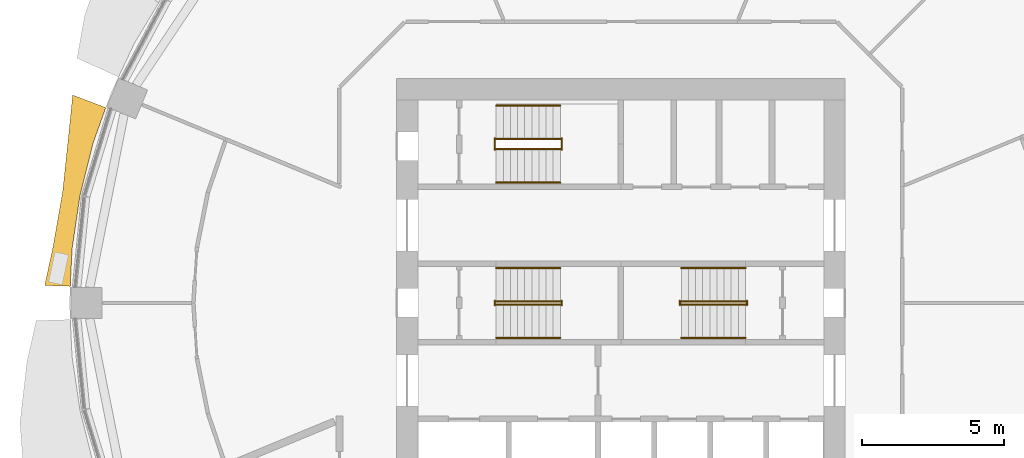
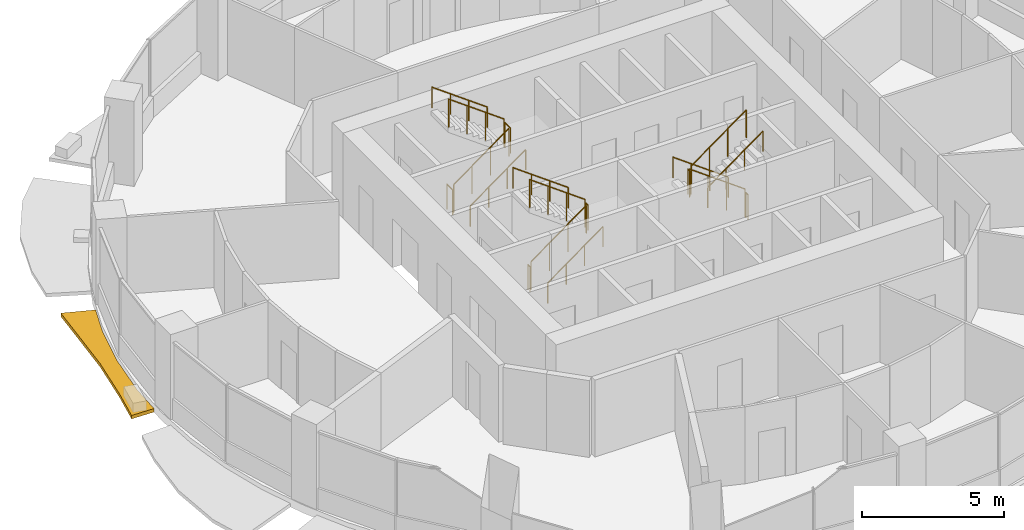
# One storey, part 12 of 14: 18 railings, 1 shading device.
"""IFC4 building model written with IfcOpenShell, lengths in metres."""

import ifcopenshell
import ifcopenshell.guid

model = None  # the IFC model being written
_history = None  # IfcOwnerHistory: only IFC2X3 demands one
_inside = {}  # id of a spatial element -> (the spatial element, [elements in it])
_under = {}  # id of a project, library or spatial element -> (it, [spatial elements below it])
_declared = {}  # id of a project -> (the project, [libraries it declares])
_typed = {}  # id of a type object -> (the type object, [elements of that type])
_made_of = {}  # id of a material, layer set ... -> (it, [elements and type objects made of it])


def new_model(schema):
    """Start an empty IFC model of exactly this schema.

    Asked for "IFC4X3", IfcOpenShell would pick the latest addendum, in which some entities
    have other attributes; the version numbers below select the first issue.
    IFC2X3 requires an IfcOwnerHistory on every rooted entity: one is made here for all.
    """
    global model, _history
    if schema == "IFC4X3":
        model = ifcopenshell.file(schema_version=(4, 3, 0, 0))
    else:
        model = ifcopenshell.file(schema=schema)
    _inside.clear()
    _under.clear()
    _declared.clear()
    _typed.clear()
    _made_of.clear()
    _history = None
    if model.schema == "IFC2X3":
        org = make("IfcOrganization", Name="unknown")
        user = make(
            "IfcPersonAndOrganization",
            ThePerson=make("IfcPerson", FamilyName="unknown"),
            TheOrganization=org,
        )
        app = make(
            "IfcApplication",
            ApplicationDeveloper=org,
            Version="unknown",
            ApplicationFullName="unknown",
            ApplicationIdentifier="unknown",
        )
        _history = make(
            "IfcOwnerHistory",
            OwningUser=user,
            OwningApplication=app,
            ChangeAction="ADDED",
            CreationDate=0,
        )
    return model


def make(cls, **values):
    """One entity of the class cls with the attributes given. An attribute that is None is left unset."""
    return model.create_entity(
        cls, **{name: value for name, value in values.items() if value is not None}
    )


def rooted(cls, **values):
    """An entity with a GlobalId (a new one), such as an element, a storey or a relation."""
    return make(cls, GlobalId=ifcopenshell.guid.new(), OwnerHistory=_history, **values)


def si_unit(unit_type, name, prefix=None):
    """IfcSIUnit, for example si_unit("LENGTHUNIT", "METRE", prefix="MILLI")."""
    return make("IfcSIUnit", UnitType=unit_type, Prefix=prefix, Name=name)


def assignment(units):
    """IfcUnitAssignment: the units of a project."""
    return None if units is None else make("IfcUnitAssignment", Units=units)


def point(xyz):
    """IfcCartesianPoint."""
    return None if xyz is None else make("IfcCartesianPoint", Coordinates=xyz)


def direction(xyz):
    """IfcDirection."""
    return None if xyz is None else make("IfcDirection", DirectionRatios=xyz)


def frame(location, z_axis=None, x_axis=None):
    """IfcAxis2Placement3D, a coordinate frame: its origin and axes. An axis left out is left unset."""
    return make(
        "IfcAxis2Placement3D",
        Location=point(location),
        Axis=direction(z_axis),
        RefDirection=direction(x_axis),
    )


def frame_2d(location, x_axis=None):
    """IfcAxis2Placement2D, a coordinate frame in the plane: its origin and x axis."""
    return make(
        "IfcAxis2Placement2D", Location=point(location), RefDirection=direction(x_axis)
    )


def origin():
    """The frame at (0, 0, 0) with its axes left unset."""
    return frame((0.0, 0.0, 0.0))


def origin_2d():
    """The frame at (0, 0) in the plane with its x axis left unset."""
    return frame_2d((0.0, 0.0))


def place(relative_to, where):
    """IfcLocalPlacement: puts the frame where relative to a parent placement (None: the world)."""
    return make(
        "IfcLocalPlacement", PlacementRelTo=relative_to, RelativePlacement=where
    )


def context(
    kind, dimensions, precision=None, world=None, true_north=None, identifier=None
):
    """IfcGeometricRepresentationContext, for example the 3D "Model" context."""
    return make(
        "IfcGeometricRepresentationContext",
        ContextIdentifier=identifier,
        ContextType=kind,
        CoordinateSpaceDimension=dimensions,
        Precision=precision,
        WorldCoordinateSystem=world,
        TrueNorth=true_north,
    )


def subcontext(parent, identifier, kind, view, scale=None):
    """IfcGeometricRepresentationSubContext, for example "Body" below "Model"."""
    return make(
        "IfcGeometricRepresentationSubContext",
        ContextIdentifier=identifier,
        ContextType=kind,
        ParentContext=parent,
        TargetScale=scale,
        TargetView=view,
    )


def project(units=None, contexts=None):
    """IfcProject with its units and contexts."""
    return rooted(
        "IfcProject",
        Name="project",
        RepresentationContexts=contexts,
        UnitsInContext=assignment(units),
    )


def spatial(cls, under=None, at=None, **own):
    """A site, building, storey or space (cls), placed at a placement, below another one or the project."""
    s = rooted(cls, ObjectPlacement=at, **own)
    if under is not None:
        _under.setdefault(under.id(), (under, []))[1].append(s)
    return s


def polyline(points):
    """IfcPolyline through the points."""
    return make("IfcPolyline", Points=[point(p) for p in points])


def profile(cls, at=None, kind="AREA", **sizes):
    """A parametric profile (cls). Its sizes go by their IFC names, for example OverallWidth=200.0."""
    return make(cls, ProfileType=kind, Position=at, **sizes)


def circle(**sizes):
    """IfcCircleProfileDef."""
    return profile("IfcCircleProfileDef", **sizes)


def outline(outer, holes=None, kind="AREA"):
    """IfcArbitraryClosedProfileDef: a profile drawn as a closed curve; with holes, ...WithVoids."""
    if holes is None:
        return make("IfcArbitraryClosedProfileDef", ProfileType=kind, OuterCurve=outer)
    return make(
        "IfcArbitraryProfileDefWithVoids",
        ProfileType=kind,
        OuterCurve=outer,
        InnerCurves=holes,
    )


def extrude(swept, where, along, depth):
    """IfcExtrudedAreaSolid: the profile swept, set in the frame where, extruded along a direction by depth."""
    return make(
        "IfcExtrudedAreaSolid",
        SweptArea=swept,
        Position=where,
        ExtrudedDirection=direction(along),
        Depth=depth,
    )


def shape(context_of_items, identifier, shape_type, items):
    """IfcShapeRepresentation: the items that make up one representation, for example the "Body"."""
    return make(
        "IfcShapeRepresentation",
        ContextOfItems=context_of_items,
        RepresentationIdentifier=identifier,
        RepresentationType=shape_type,
        Items=items,
    )


def material(Name=None, Category=None):
    """IfcMaterial."""
    return make("IfcMaterial", Name=Name, Category=Category)


def made_of(thing, what):
    """Note that an element or type object is made of a material, layer set ...; save() writes the relation."""
    if what is not None:
        _made_of.setdefault(what.id(), (what, []))[1].append(thing)
    return thing


def type_object(cls, material=None, **own):
    """A type object (cls), such as IfcWallType, which elements share."""
    return made_of(rooted(cls, **own), material)


def element(
    cls,
    number,
    at=None,
    inside=None,
    cuts=None,
    type_object=None,
    material=None,
    context=None,
    identifier="Body",
    shape_type=None,
    held_by="IfcProductDefinitionShape",
    body=None,
    shapes=None,
    **own,
):
    """One element of the class cls, such as IfcWall. Its Tag is "e" and its number.

    at: its placement. inside: the storey or other place that contains it. cuts: it is an
    opening in that element (IfcRelVoidsElement). A single representation is given by context,
    identifier, shape_type and body (its items); several are given by shapes. held_by: the class
    of the entity that holds the representations. save() writes the other relations.
    """
    e = rooted(cls, Tag="e%d" % number, ObjectPlacement=at, **own)
    if body is not None:
        shapes = [shape(context, identifier, shape_type, body)]
    if shapes is not None:
        e.Representation = make(held_by, Representations=shapes)
    if inside is not None:
        _inside.setdefault(inside.id(), (inside, []))[1].append(e)
    if cuts is not None:
        rooted(
            "IfcRelVoidsElement", RelatingBuildingElement=cuts, RelatedOpeningElement=e
        )
    if type_object is not None:
        _typed.setdefault(type_object.id(), (type_object, []))[1].append(e)
    return made_of(e, material)


def aggregate(whole, parts):
    """IfcRelAggregates: a whole, such as a stair, and the parts it consists of."""
    return rooted("IfcRelAggregates", RelatingObject=whole, RelatedObjects=parts)


def save(model, path):
    """Write the relations noted so far, then the file.

    IfcRelAggregates (storeys below a building ...), IfcRelContainedInSpatialStructure (elements
    in a storey), IfcRelDefinesByType, IfcRelAssociatesMaterial and IfcRelDeclares: one each for
    every whole, place, type object, material and project.
    """
    for whole, parts in _under.values():
        aggregate(whole, parts)
    for where, things in _inside.values():
        rooted(
            "IfcRelContainedInSpatialStructure",
            RelatedElements=things,
            RelatingStructure=where,
        )
    for kind, things in _typed.values():
        rooted("IfcRelDefinesByType", RelatedObjects=things, RelatingType=kind)
    for what, things in _made_of.values():
        rooted("IfcRelAssociatesMaterial", RelatedObjects=things, RelatingMaterial=what)
    for by, libraries in _declared.values():
        rooted("IfcRelDeclares", RelatingContext=by, RelatedDefinitions=libraries)
    model.write(path)


model = new_model("IFC4")

# Units and contexts
model_context = context("Model", 3, precision=1e-05, world=origin(), true_north=direction((0.0, 1.0)))
body_context = subcontext(model_context, "Body", "Model", "MODEL_VIEW")
ifc_project = project(units=[si_unit("LENGTHUNIT", "METRE"), si_unit("AREAUNIT", "SQUARE_METRE"), si_unit("VOLUMEUNIT", "CUBIC_METRE"), si_unit("PLANEANGLEUNIT", "RADIAN"), si_unit("MASSUNIT", "GRAM", prefix="KILO")], contexts=[model_context])

# Site, building, storey
site_placement = place(None, origin())
site = spatial("IfcSite", under=ifc_project, at=site_placement, CompositionType="ELEMENT")
building_placement = place(site_placement, origin())
building = spatial("IfcBuilding", under=site, at=building_placement, Name="Polderwave Tower", CompositionType="ELEMENT")
storey_placement = place(building_placement, frame((0.0, 0.0, 91.0)))
storey = spatial("IfcBuildingStorey", under=building, at=storey_placement, Name="L23", CompositionType="ELEMENT", Elevation=91.0)

# Railings
ifc_material_1 = material(Name="Stainless steel", Category="steel")
railing_type_1 = type_object("IfcRailingType", Name="Stair guard 1100", PredefinedType="GUARDRAIL", material=ifc_material_1)
railing_1_placement = place(storey_placement, frame((-4.3740234375, -0.051025390625, 0.0625)))
element("IfcRailing", 1, at=railing_1_placement, inside=storey, type_object=railing_type_1, Name="L23 ST-A stair guard 1", PredefinedType="GUARDRAIL", context=body_context, shape_type="SweptSolid", body=[
    extrude(circle(Radius=0.02392578125, at=origin_2d()), frame((0.0, 0.0, 1.1962890625), z_axis=(0.807715371301, 0.0, 0.589572623995), x_axis=(0.0, 1.0, 0.0)), (0.0, 0.0, 1.0), 2.78564453125),
    extrude(circle(Radius=0.02392578125, at=origin_2d()), origin(), (0.0, 0.0, 1.0), 1.172119140625),
    extrude(circle(Radius=0.02392578125, at=origin_2d()), frame((0.75, 0.0, 0.54736328125)), (0.0, 0.0, 1.0), 1.172119140625),
    extrude(circle(Radius=0.02392578125, at=origin_2d()), frame((1.5, 0.0, 1.094970703125)), (0.0, 0.0, 1.0), 1.172119140625),
    extrude(circle(Radius=0.02392578125, at=origin_2d()), frame((2.25, 0.0, 1.642333984375)), (0.0, 0.0, 1.0), 1.172119140625),
])
railing_2_placement = place(storey_placement, frame((-2.073974609375, -0.074951171875, 1.824951171875)))
element("IfcRailing", 2, at=railing_2_placement, inside=storey, type_object=railing_type_1, Name="L23 ST-A stair guard 2", PredefinedType="GUARDRAIL", context=body_context, shape_type="SweptSolid", body=[
    extrude(circle(Radius=0.02392578125, at=origin_2d()), frame((0.0, 0.0, 1.076171875), z_axis=(0.0, 1.0, 0.0), x_axis=(-1.0, 0.0, 0.0)), (0.0, 0.0, 1.0), 0.14990234375),
    extrude(circle(Radius=0.02099609375, at=origin_2d()), origin(), (0.0, 0.0, 1.0), 1.052001953125),
    extrude(circle(Radius=0.02099609375, at=origin_2d()), frame((0.0, 0.14990234375, 0.0)), (0.0, 0.0, 1.0), 1.052001953125),
])
railing_3_placement = place(storey_placement, frame((-2.1240234375, 0.051025390625, 1.887451171875)))
element("IfcRailing", 3, at=railing_3_placement, inside=storey, type_object=railing_type_1, Name="L23 ST-A stair guard 3", PredefinedType="GUARDRAIL", context=body_context, shape_type="SweptSolid", body=[
    extrude(circle(Radius=0.02392578125, at=origin_2d()), frame((0.0, 0.0, 1.1962890625), z_axis=(-0.807715371301, 0.0, 0.589572623995), x_axis=(0.0, -1.0, 0.0)), (0.0, 0.0, 1.0), 2.78564453125),
    extrude(circle(Radius=0.02392578125, at=origin_2d()), origin(), (0.0, 0.0, 1.0), 1.172119140625),
    extrude(circle(Radius=0.02392578125, at=origin_2d()), frame((-0.75, 0.0, 0.54736328125)), (0.0, 0.0, 1.0), 1.172119140625),
    extrude(circle(Radius=0.02392578125, at=origin_2d()), frame((-1.5, 0.0, 1.094970703125)), (0.0, 0.0, 1.0), 1.172119140625),
    extrude(circle(Radius=0.02392578125, at=origin_2d()), frame((-2.25, 0.0, 1.642333984375)), (0.0, 0.0, 1.0), 1.172119140625),
])
railing_4_placement = place(storey_placement, frame((-4.424072265625, -0.074951171875, 0.0)))
element("IfcRailing", 4, at=railing_4_placement, inside=storey, type_object=railing_type_1, Name="L23 ST-A stair guard 4", PredefinedType="GUARDRAIL", context=body_context, shape_type="SweptSolid", body=[
    extrude(circle(Radius=0.02392578125, at=origin_2d()), frame((0.0, 0.0, 1.076171875), z_axis=(0.0, 1.0, 0.0), x_axis=(-1.0, 0.0, 0.0)), (0.0, 0.0, 1.0), 0.14990234375),
    extrude(circle(Radius=0.02099609375, at=origin_2d()), origin(), (0.0, 0.0, 1.0), 1.052001953125),
    extrude(circle(Radius=0.02099609375, at=origin_2d()), frame((0.0, 0.14990234375, 0.0)), (0.0, 0.0, 1.0), 1.052001953125),
])
railing_5_placement = place(storey_placement, frame((4.3740234375, 0.051025390625, 0.0625)))
element("IfcRailing", 5, at=railing_5_placement, inside=storey, type_object=railing_type_1, Name="L23 ST-B stair guard 1", PredefinedType="GUARDRAIL", context=body_context, shape_type="SweptSolid", body=[
    extrude(circle(Radius=0.02392578125, at=origin_2d()), frame((0.0, 0.0, 1.1962890625), z_axis=(-0.807715371301, 0.0, 0.589572623995), x_axis=(0.0, -1.0, 0.0)), (0.0, 0.0, 1.0), 2.78564453125),
    extrude(circle(Radius=0.02392578125, at=origin_2d()), origin(), (0.0, 0.0, 1.0), 1.172119140625),
    extrude(circle(Radius=0.02392578125, at=origin_2d()), frame((-0.75, 0.0, 0.54736328125)), (0.0, 0.0, 1.0), 1.172119140625),
    extrude(circle(Radius=0.02392578125, at=origin_2d()), frame((-1.5, 0.0, 1.094970703125)), (0.0, 0.0, 1.0), 1.172119140625),
    extrude(circle(Radius=0.02392578125, at=origin_2d()), frame((-2.25, 0.0, 1.642333984375)), (0.0, 0.0, 1.0), 1.172119140625),
])
railing_6_placement = place(storey_placement, frame((2.073974609375, 0.074951171875, 1.824951171875)))
element("IfcRailing", 6, at=railing_6_placement, inside=storey, type_object=railing_type_1, Name="L23 ST-B stair guard 2", PredefinedType="GUARDRAIL", context=body_context, shape_type="SweptSolid", body=[
    extrude(circle(Radius=0.02392578125, at=origin_2d()), frame((0.0, 0.0, 1.076171875), z_axis=(0.0, -1.0, 0.0), x_axis=(1.0, 0.0, 0.0)), (0.0, 0.0, 1.0), 0.14990234375),
    extrude(circle(Radius=0.02099609375, at=origin_2d()), origin(), (0.0, 0.0, 1.0), 1.052001953125),
    extrude(circle(Radius=0.02099609375, at=origin_2d()), frame((0.0, -0.14990234375, 0.0)), (0.0, 0.0, 1.0), 1.052001953125),
])
railing_7_placement = place(storey_placement, frame((2.1240234375, -0.051025390625, 1.887451171875)))
element("IfcRailing", 7, at=railing_7_placement, inside=storey, type_object=railing_type_1, Name="L23 ST-B stair guard 3", PredefinedType="GUARDRAIL", context=body_context, shape_type="SweptSolid", body=[
    extrude(circle(Radius=0.02392578125, at=origin_2d()), frame((0.0, 0.0, 1.1962890625), z_axis=(0.807715371301, 0.0, 0.589572623995), x_axis=(0.0, 1.0, 0.0)), (0.0, 0.0, 1.0), 2.78564453125),
    extrude(circle(Radius=0.02392578125, at=origin_2d()), origin(), (0.0, 0.0, 1.0), 1.172119140625),
    extrude(circle(Radius=0.02392578125, at=origin_2d()), frame((0.75, 0.0, 0.54736328125)), (0.0, 0.0, 1.0), 1.172119140625),
    extrude(circle(Radius=0.02392578125, at=origin_2d()), frame((1.5, 0.0, 1.094970703125)), (0.0, 0.0, 1.0), 1.172119140625),
    extrude(circle(Radius=0.02392578125, at=origin_2d()), frame((2.25, 0.0, 1.642333984375)), (0.0, 0.0, 1.0), 1.172119140625),
])
railing_8_placement = place(storey_placement, frame((4.424072265625, 0.074951171875, 0.0)))
element("IfcRailing", 8, at=railing_8_placement, inside=storey, type_object=railing_type_1, Name="L23 ST-B stair guard 4", PredefinedType="GUARDRAIL", context=body_context, shape_type="SweptSolid", body=[
    extrude(circle(Radius=0.02392578125, at=origin_2d()), frame((0.0, 0.0, 1.076171875), z_axis=(0.0, -1.0, 0.0), x_axis=(1.0, 0.0, 0.0)), (0.0, 0.0, 1.0), 0.14990234375),
    extrude(circle(Radius=0.02099609375, at=origin_2d()), origin(), (0.0, 0.0, 1.0), 1.052001953125),
    extrude(circle(Radius=0.02099609375, at=origin_2d()), frame((0.0, -0.14990234375, 0.0)), (0.0, 0.0, 1.0), 1.052001953125),
])
railing_9_placement = place(storey_placement, frame((-4.3740234375, 5.39794921875, 0.0625)))
element("IfcRailing", 9, at=railing_9_placement, inside=storey, type_object=railing_type_1, Name="L23 ST-C stair guard 1", PredefinedType="GUARDRAIL", context=body_context, shape_type="SweptSolid", body=[
    extrude(circle(Radius=0.02392578125, at=origin_2d()), frame((0.0, 0.0, 1.1962890625), z_axis=(0.807715371301, 0.0, 0.589572623995), x_axis=(0.0, 1.0, 0.0)), (0.0, 0.0, 1.0), 2.78564453125),
    extrude(circle(Radius=0.02392578125, at=origin_2d()), origin(), (0.0, 0.0, 1.0), 1.172119140625),
    extrude(circle(Radius=0.02392578125, at=origin_2d()), frame((0.75, 0.0, 0.54736328125)), (0.0, 0.0, 1.0), 1.172119140625),
    extrude(circle(Radius=0.02392578125, at=origin_2d()), frame((1.5, 0.0, 1.094970703125)), (0.0, 0.0, 1.0), 1.172119140625),
    extrude(circle(Radius=0.02392578125, at=origin_2d()), frame((2.25, 0.0, 1.642333984375)), (0.0, 0.0, 1.0), 1.172119140625),
])
railing_10_placement = place(storey_placement, frame((-2.073974609375, 5.3740234375, 1.824951171875)))
element("IfcRailing", 10, at=railing_10_placement, inside=storey, type_object=railing_type_1, Name="L23 ST-C stair guard 2", PredefinedType="GUARDRAIL", context=body_context, shape_type="SweptSolid", body=[
    extrude(circle(Radius=0.02392578125, at=origin_2d()), frame((0.0, 0.0, 1.076171875), z_axis=(0.0, 1.0, 0.0), x_axis=(-1.0, 0.0, 0.0)), (0.0, 0.0, 1.0), 0.39990234375),
    extrude(circle(Radius=0.02099609375, at=origin_2d()), origin(), (0.0, 0.0, 1.0), 1.052001953125),
    extrude(circle(Radius=0.02099609375, at=origin_2d()), frame((0.0, 0.39990234375, 0.0)), (0.0, 0.0, 1.0), 1.052001953125),
])
railing_11_placement = place(storey_placement, frame((-2.1240234375, 5.75, 1.887451171875)))
element("IfcRailing", 11, at=railing_11_placement, inside=storey, type_object=railing_type_1, Name="L23 ST-C stair guard 3", PredefinedType="GUARDRAIL", context=body_context, shape_type="SweptSolid", body=[
    extrude(circle(Radius=0.02392578125, at=origin_2d()), frame((0.0, 0.0, 1.1962890625), z_axis=(-0.807715371301, 0.0, 0.589572623995), x_axis=(0.0, -1.0, 0.0)), (0.0, 0.0, 1.0), 2.78564453125),
    extrude(circle(Radius=0.02392578125, at=origin_2d()), origin(), (0.0, 0.0, 1.0), 1.172119140625),
    extrude(circle(Radius=0.02392578125, at=origin_2d()), frame((-0.75, 0.0, 0.54736328125)), (0.0, 0.0, 1.0), 1.172119140625),
    extrude(circle(Radius=0.02392578125, at=origin_2d()), frame((-1.5, 0.0, 1.094970703125)), (0.0, 0.0, 1.0), 1.172119140625),
    extrude(circle(Radius=0.02392578125, at=origin_2d()), frame((-2.25, 0.0, 1.642333984375)), (0.0, 0.0, 1.0), 1.172119140625),
])
railing_12_placement = place(storey_placement, frame((-4.424072265625, 5.3740234375, 0.0)))
element("IfcRailing", 12, at=railing_12_placement, inside=storey, type_object=railing_type_1, Name="L23 ST-C stair guard 4", PredefinedType="GUARDRAIL", context=body_context, shape_type="SweptSolid", body=[
    extrude(circle(Radius=0.02392578125, at=origin_2d()), frame((0.0, 0.0, 1.076171875), z_axis=(0.0, 1.0, 0.0), x_axis=(-1.0, 0.0, 0.0)), (0.0, 0.0, 1.0), 0.39990234375),
    extrude(circle(Radius=0.02099609375, at=origin_2d()), origin(), (0.0, 0.0, 1.0), 1.052001953125),
    extrude(circle(Radius=0.02099609375, at=origin_2d()), frame((0.0, 0.39990234375, 0.0)), (0.0, 0.0, 1.0), 1.052001953125),
])
railing_type_2 = type_object("IfcRailingType", Name="Stair handrail 900", PredefinedType="HANDRAIL", material=ifc_material_1)
railing_13_placement = place(storey_placement, frame((-4.3740234375, -1.22509765625, 0.1826171875)))
element("IfcRailing", 13, at=railing_13_placement, inside=storey, type_object=railing_type_2, Name="L23 ST-A stair handrail 1", PredefinedType="HANDRAIL", context=body_context, shape_type="SweptSolid", body=[
    extrude(circle(Radius=0.02392578125, at=origin_2d()), frame((0.0, 0.0, 0.8759765625), z_axis=(0.807715371301, 0.0, 0.589572623995), x_axis=(0.0, 1.0, 0.0)), (0.0, 0.0, 1.0), 2.78564453125),
    extrude(circle(Radius=0.02099609375, at=origin_2d()), origin(), (0.0, 0.0, 1.0), 0.851806640625),
    extrude(circle(Radius=0.02099609375, at=origin_2d()), frame((0.75, 0.0, 0.54736328125)), (0.0, 0.0, 1.0), 0.851806640625),
    extrude(circle(Radius=0.02099609375, at=origin_2d()), frame((1.5, 0.0, 1.094970703125)), (0.0, 0.0, 1.0), 0.851806640625),
    extrude(circle(Radius=0.02099609375, at=origin_2d()), frame((2.25, 0.0, 1.642333984375)), (0.0, 0.0, 1.0), 0.851806640625),
])
for number, where, name in (
    (14, (-2.1240234375, 1.22509765625, 2.007568359375), "L23 ST-A stair handrail 2"),
    (15, (4.3740234375, 1.22509765625, 0.1826171875), "L23 ST-B stair handrail 1"),
):
    element("IfcRailing", number, at=place(storey_placement, frame(where)), inside=storey, type_object=railing_type_2, Name=name, PredefinedType="HANDRAIL", context=body_context, shape_type="SweptSolid", body=[
        extrude(circle(Radius=0.02392578125, at=origin_2d()), frame((0.0, 0.0, 0.8759765625), z_axis=(-0.807715371301, 0.0, 0.589572623995), x_axis=(0.0, -1.0, 0.0)), (0.0, 0.0, 1.0), 2.78564453125),
        extrude(circle(Radius=0.02099609375, at=origin_2d()), origin(), (0.0, 0.0, 1.0), 0.851806640625),
        extrude(circle(Radius=0.02099609375, at=origin_2d()), frame((-0.75, 0.0, 0.54736328125)), (0.0, 0.0, 1.0), 0.851806640625),
        extrude(circle(Radius=0.02099609375, at=origin_2d()), frame((-1.5, 0.0, 1.094970703125)), (0.0, 0.0, 1.0), 0.851806640625),
        extrude(circle(Radius=0.02099609375, at=origin_2d()), frame((-2.25, 0.0, 1.642333984375)), (0.0, 0.0, 1.0), 0.851806640625),
    ])
for number, where, name in (
    (16, (2.1240234375, -1.22509765625, 2.007568359375), "L23 ST-B stair handrail 2"),
    (17, (-4.3740234375, 4.22412109375, 0.1826171875), "L23 ST-C stair handrail 1"),
):
    element("IfcRailing", number, at=place(storey_placement, frame(where)), inside=storey, type_object=railing_type_2, Name=name, PredefinedType="HANDRAIL", context=body_context, shape_type="SweptSolid", body=[
        extrude(circle(Radius=0.02392578125, at=origin_2d()), frame((0.0, 0.0, 0.8759765625), z_axis=(0.807715371301, 0.0, 0.589572623995), x_axis=(0.0, 1.0, 0.0)), (0.0, 0.0, 1.0), 2.78564453125),
        extrude(circle(Radius=0.02099609375, at=origin_2d()), origin(), (0.0, 0.0, 1.0), 0.851806640625),
        extrude(circle(Radius=0.02099609375, at=origin_2d()), frame((0.75, 0.0, 0.54736328125)), (0.0, 0.0, 1.0), 0.851806640625),
        extrude(circle(Radius=0.02099609375, at=origin_2d()), frame((1.5, 0.0, 1.094970703125)), (0.0, 0.0, 1.0), 0.851806640625),
        extrude(circle(Radius=0.02099609375, at=origin_2d()), frame((2.25, 0.0, 1.642333984375)), (0.0, 0.0, 1.0), 0.851806640625),
    ])
railing_14_placement = place(storey_placement, frame((-2.1240234375, 6.924072265625, 2.007568359375)))
element("IfcRailing", 18, at=railing_14_placement, inside=storey, type_object=railing_type_2, Name="L23 ST-C stair handrail 2", PredefinedType="HANDRAIL", context=body_context, shape_type="SweptSolid", body=[
    extrude(circle(Radius=0.02392578125, at=origin_2d()), frame((0.0, 0.0, 0.8759765625), z_axis=(-0.807715371301, 0.0, 0.589572623995), x_axis=(0.0, -1.0, 0.0)), (0.0, 0.0, 1.0), 2.78564453125),
    extrude(circle(Radius=0.02099609375, at=origin_2d()), origin(), (0.0, 0.0, 1.0), 0.851806640625),
    extrude(circle(Radius=0.02099609375, at=origin_2d()), frame((-0.75, 0.0, 0.54736328125)), (0.0, 0.0, 1.0), 0.851806640625),
    extrude(circle(Radius=0.02099609375, at=origin_2d()), frame((-1.5, 0.0, 1.094970703125)), (0.0, 0.0, 1.0), 0.851806640625),
    extrude(circle(Radius=0.02099609375, at=origin_2d()), frame((-2.25, 0.0, 1.642333984375)), (0.0, 0.0, 1.0), 0.851806640625),
])

# Shading device
ifc_material_2 = material(Name="Terracotta", Category="masonry")
shading_device_type = type_object("IfcShadingDeviceType", Name="Terracotta sunshade band", PredefinedType="USERDEFINED", material=ifc_material_2)
shading_device_placement = place(storey_placement, frame((0.0, 0.0, -0.35009765625)))
element("IfcShadingDevice", 19, at=shading_device_placement, inside=storey, type_object=shading_device_type, Name="Sunshade band L23 8", ObjectType="SUNSHADE", PredefinedType="USERDEFINED", context=body_context, shape_type="SweptSolid", body=[
    extrude(outline(polyline([(-18.073974609375, 6.8544921875), (-18.516845703125, 5.616943359375), (-18.978271484375, 3.77490234375), (-19.2568359375, 1.896484375), (-19.3212890625, 0.583984375), (-20.21728515625, 0.611083984375), (-19.92578125, 1.96240234375), (-19.58740234375, 3.896240234375), (-19.37841796875, 5.87841796875), (-19.234375, 7.29443359375), (-18.073974609375, 6.8544921875)])), origin(), (0.0, 0.0, 1.0), 0.150146484375),
])

save(model, "model.ifc")
